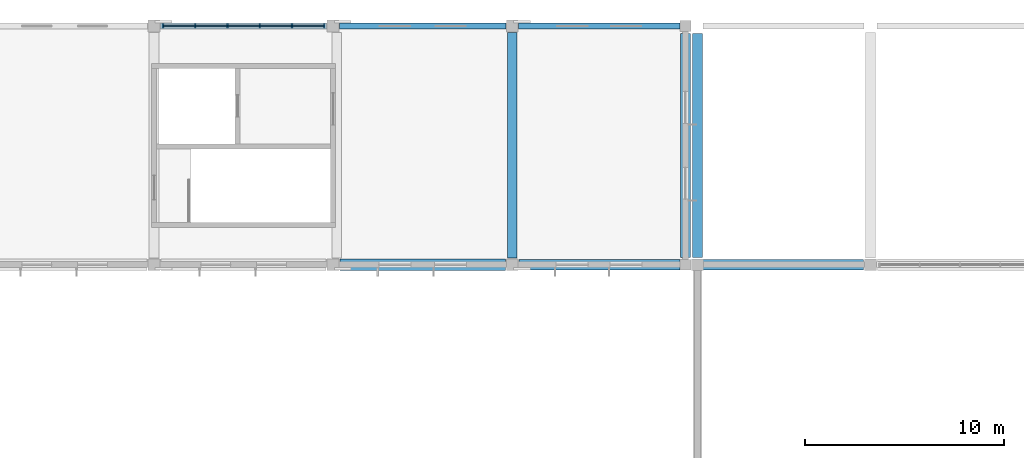
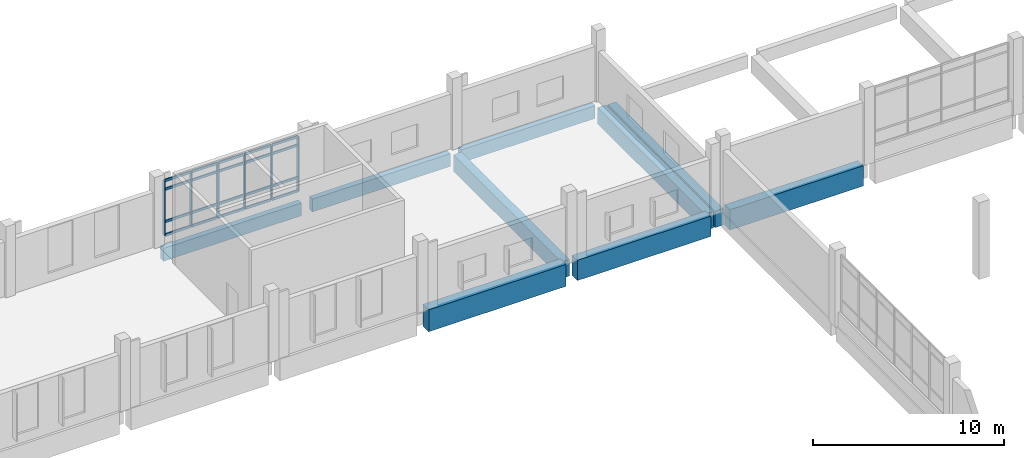
# One storey, part 25 of 63: 26 members, 9 beams, 1 element without a shape of its own.
"""IFC4 building model written with IfcOpenShell, lengths in metres."""

from ifc_helpers import new_model, si_unit, direction, frame, origin, origin_2d, place, context, subcontext, project, spatial, rectangle, extrude, material, layer, layer_set, material_profile, profile_set, type_object, element, aggregate, save


model = new_model("IFC4")

# Units and contexts
model_context = context("Model", 3, precision=1e-05, world=origin(), true_north=direction((0.0, 1.0)))
body_context = subcontext(model_context, "Body", "Model", "MODEL_VIEW")
ifc_project = project(units=[si_unit("LENGTHUNIT", "METRE"), si_unit("AREAUNIT", "SQUARE_METRE"), si_unit("VOLUMEUNIT", "CUBIC_METRE"), si_unit("PLANEANGLEUNIT", "RADIAN"), si_unit("MASSUNIT", "GRAM", prefix="KILO")], contexts=[model_context])

# Site, building, storey
site_placement = place(None, origin())
site = spatial("IfcSite", under=ifc_project, at=site_placement, CompositionType="ELEMENT")
building_placement = place(site_placement, origin())
building = spatial("IfcBuilding", under=site, at=building_placement, Name="Zacnel Wholesale Market", CompositionType="ELEMENT")
storey_placement = place(building_placement, frame((0.0, 0.0, 11.199951171875)))
storey = spatial("IfcBuildingStorey", under=building, at=storey_placement, Name="L03", CompositionType="ELEMENT", Elevation=11.199951171875)

# Beams
ifc_material_1 = material(Name="Precast concrete C45/55", Category="concrete")
ifc_material_profile_1 = material_profile(ifc_material_1, rectangle(XDim=0.5, YDim=1.050048828125, at=origin_2d()), Name="PG 500x1050")
ifc_profile_set_1 = profile_set([ifc_material_profile_1], Name="Precast concrete C45/55")
beam_type_1 = type_object("IfcBeamType", Name="BM-PG1050", PredefinedType="T_BEAM", material=ifc_profile_set_1)
beam_1_placement = place(storey_placement, frame((135.0, 132.35009765625, -0.804931640625), z_axis=(0.0, 1.0, 0.0), x_axis=(-1.0, 0.0, 0.0)))
element("IfcBeam", 1, at=beam_1_placement, inside=storey, type_object=beam_type_1, Name="Precast girder Y-0918", PredefinedType="T_BEAM", context=body_context, shape_type="SweptSolid", body=[
    extrude(rectangle(XDim=0.5, YDim=1.050048828125, at=origin_2d()), origin(), (0.0, 0.0, 1.0), 11.324951171875),
])
for number, where, z_axis, x_axis, name in (
    (2, (143.699951171875, 132.375, -0.804931640625), (0.0, 1.0, 0.0), (-1.0, 0.0, 0.0), "Precast girder Y-0920"),
    (3, (144.300048828125, 132.375, -0.824951171875), (0.0, 1.0, 0.0), (-1.0, 0.0, 0.0), "Precast girder Y-0932"),
):
    element("IfcBeam", number, at=place(storey_placement, frame(where, z_axis=z_axis, x_axis=x_axis)), inside=storey, type_object=beam_type_1, Name=name, PredefinedType="T_BEAM", context=body_context, shape_type="SweptSolid", body=[
        extrude(rectangle(XDim=0.5, YDim=1.050048828125, at=origin_2d()), origin(), (0.0, 0.0, 1.0), 11.25),
    ])
ifc_material_2 = material(Name="Concrete C40/50", Category="concrete")
ifc_material_profile_2 = material_profile(ifc_material_2, rectangle(XDim=0.550048828125, YDim=1.300048828125, at=origin_2d()), Name="PTB 550x1300")
ifc_profile_set_2 = profile_set([ifc_material_profile_2], Name="Concrete C40/50")
beam_type_2 = type_object("IfcBeamType", Name="BM-PTB1300", PredefinedType="BEAM", material=ifc_profile_set_2)
for number, where, z_axis, x_axis, name in (
    (4, (135.35009765625, 132.0, -0.64990234375), (1.0, 0.0, 0.0), (0.0, 1.0, 0.0), "Precast girder X-0774"),
    (5, (144.574951171875, 132.0, -0.64990234375), (1.0, 0.0, 0.0), (0.0, 1.0, 0.0), "Precast girder X-0775"),
):
    element("IfcBeam", number, at=place(storey_placement, frame(where, z_axis=z_axis, x_axis=x_axis)), inside=storey, type_object=beam_type_2, Name=name, PredefinedType="BEAM", context=body_context, shape_type="SweptSolid", body=[
        extrude(rectangle(XDim=0.550048828125, YDim=1.300048828125, at=origin_2d()), origin(), (0.0, 0.0, 1.0), 8.074951171875),
    ])
ifc_material_3 = material(Name="Concrete C40/50", Category="concrete")
ifc_material_profile_3 = material_profile(ifc_material_3, rectangle(XDim=0.60009765625, YDim=1.39990234375, at=origin_2d()), Name="PTB 600x1400")
ifc_profile_set_3 = profile_set([ifc_material_profile_3], Name="Concrete C40/50")
beam_type_3 = type_object("IfcBeamType", Name="BM-PTB1400", PredefinedType="BEAM", material=ifc_profile_set_3)
beam_2_placement = place(storey_placement, frame((126.35009765625, 132.0, -0.699951171875), z_axis=(1.0, 0.0, 0.0), x_axis=(0.0, 1.0, 0.0)))
element("IfcBeam", 6, at=beam_2_placement, inside=storey, type_object=beam_type_3, Name="Precast girder X-0773", PredefinedType="BEAM", context=body_context, shape_type="SweptSolid", body=[
    extrude(rectangle(XDim=0.60009765625, YDim=1.39990234375, at=origin_2d()), origin(), (0.0, 0.0, 1.0), 8.2998046875),
])
ifc_material_4 = material(Name="Precast concrete C45/55", Category="concrete")
ifc_material_profile_4 = material_profile(ifc_material_4, rectangle(XDim=0.320068359375, YDim=0.820068359375, at=origin_2d()), Name="SP 320x820")
ifc_profile_set_4 = profile_set([ifc_material_profile_4], Name="Precast concrete C45/55")
beam_type_4 = type_object("IfcBeamType", Name="BM-SP820", PredefinedType="SPANDREL", material=ifc_profile_set_4)
for number, where, z_axis, x_axis, name in (
    (7, (117.324951171875, 144.0, -0.68994140625), (1.0, 0.0, 0.0), (0.0, 1.0, 0.0), "Precast girder X-0791"),
    (8, (126.324951171875, 144.0, -0.68994140625), (1.0, 0.0, 0.0), (0.0, 1.0, 0.0), "Precast girder X-0792"),
):
    element("IfcBeam", number, at=place(storey_placement, frame(where, z_axis=z_axis, x_axis=x_axis)), inside=storey, type_object=beam_type_4, Name=name, PredefinedType="SPANDREL", context=body_context, shape_type="SweptSolid", body=[
        extrude(rectangle(XDim=0.320068359375, YDim=0.820068359375, at=origin_2d()), origin(), (0.0, 0.0, 1.0), 8.35009765625),
    ])
beam_3_placement = place(storey_placement, frame((135.324951171875, 144.0, -0.68994140625), z_axis=(1.0, 0.0, 0.0), x_axis=(0.0, 1.0, 0.0)))
element("IfcBeam", 9, at=beam_3_placement, inside=storey, type_object=beam_type_4, Name="Precast girder X-0793", PredefinedType="SPANDREL", context=body_context, shape_type="SweptSolid", body=[
    extrude(rectangle(XDim=0.320068359375, YDim=0.820068359375, at=origin_2d()), origin(), (0.0, 0.0, 1.0), 8.10009765625),
])

# Curtain wall, members
ifc_material_5 = material(Name="Anodised aluminium", Category="aluminium")
ifc_layer = layer(ifc_material_5, 0.159912109375)
ifc_layer_set = layer_set([ifc_layer], Name="Anodised aluminium")
curtain_wall_type = type_object("IfcCurtainWallType", Name="CW-COURT-4500", PredefinedType="NOTDEFINED", material=ifc_layer_set)
curtain_wall_placement = place(storey_placement, origin())
curtain_wall = element("IfcCurtainWall", 10, at=curtain_wall_placement, inside=storey, type_object=curtain_wall_type, Name="Curtain wall ENV-R2-CW-L03-049", PredefinedType="NOTDEFINED")
ifc_material_6 = material(Name="Anodised aluminium", Category="aluminium")
ifc_material_profile_5 = material_profile(ifc_material_6, rectangle(XDim=0.070068359375, YDim=0.199951171875, at=origin_2d()), Name="AW-MULLION 70x200")
ifc_profile_set_5 = profile_set([ifc_material_profile_5], Name="Anodised aluminium")
member_type_1 = type_object("IfcMemberType", Name="CWM-MUL-02", PredefinedType="MULLION", material=ifc_profile_set_5)
member_1_placement = place(storey_placement, frame((117.449951171875, 144.0, 0.449951171875), z_axis=(0.0, 0.0, 1.0), x_axis=(1.0, 0.0, 0.0)))
member_1 = element("IfcMember", 11, at=member_1_placement, type_object=member_type_1, Name="ENV-R2-CW-L03-049 mullion 01", PredefinedType="MULLION", context=body_context, shape_type="SweptSolid", body=[
    extrude(rectangle(XDim=0.070068359375, YDim=0.199951171875, at=origin_2d()), origin(), (0.0, 0.0, 1.0), 3.47021484375),
])
member_2_placement = place(storey_placement, frame((119.070068359375, 144.0, 0.449951171875), z_axis=(0.0, 0.0, 1.0), x_axis=(1.0, 0.0, 0.0)))
member_2 = element("IfcMember", 12, at=member_2_placement, type_object=member_type_1, Name="ENV-R2-CW-L03-049 mullion 02", PredefinedType="MULLION", context=body_context, shape_type="SweptSolid", body=[
    extrude(rectangle(XDim=0.070068359375, YDim=0.199951171875, at=origin_2d()), origin(), (0.0, 0.0, 1.0), 3.47021484375),
])
member_3_placement = place(storey_placement, frame((120.68994140625, 144.0, 0.449951171875), z_axis=(0.0, 0.0, 1.0), x_axis=(1.0, 0.0, 0.0)))
member_3 = element("IfcMember", 13, at=member_3_placement, type_object=member_type_1, Name="ENV-R2-CW-L03-049 mullion 03", PredefinedType="MULLION", context=body_context, shape_type="SweptSolid", body=[
    extrude(rectangle(XDim=0.070068359375, YDim=0.199951171875, at=origin_2d()), origin(), (0.0, 0.0, 1.0), 3.47021484375),
])
member_4_placement = place(storey_placement, frame((122.31005859375, 144.0, 0.449951171875), z_axis=(0.0, 0.0, 1.0), x_axis=(1.0, 0.0, 0.0)))
member_4 = element("IfcMember", 14, at=member_4_placement, type_object=member_type_1, Name="ENV-R2-CW-L03-049 mullion 04", PredefinedType="MULLION", context=body_context, shape_type="SweptSolid", body=[
    extrude(rectangle(XDim=0.070068359375, YDim=0.199951171875, at=origin_2d()), origin(), (0.0, 0.0, 1.0), 3.47021484375),
])
member_5_placement = place(storey_placement, frame((123.929931640625, 144.0, 0.449951171875), z_axis=(0.0, 0.0, 1.0), x_axis=(1.0, 0.0, 0.0)))
member_5 = element("IfcMember", 15, at=member_5_placement, type_object=member_type_1, Name="ENV-R2-CW-L03-049 mullion 05", PredefinedType="MULLION", context=body_context, shape_type="SweptSolid", body=[
    extrude(rectangle(XDim=0.070068359375, YDim=0.199951171875, at=origin_2d()), origin(), (0.0, 0.0, 1.0), 3.47021484375),
])
member_6_placement = place(storey_placement, frame((125.550048828125, 144.0, 0.449951171875), z_axis=(0.0, 0.0, 1.0), x_axis=(1.0, 0.0, 0.0)))
member_6 = element("IfcMember", 16, at=member_6_placement, type_object=member_type_1, Name="ENV-R2-CW-L03-049 mullion 06", PredefinedType="MULLION", context=body_context, shape_type="SweptSolid", body=[
    extrude(rectangle(XDim=0.070068359375, YDim=0.199951171875, at=origin_2d()), origin(), (0.0, 0.0, 1.0), 3.47021484375),
])
ifc_material_7 = material(Name="Anodised aluminium", Category="aluminium")
ifc_material_profile_6 = material_profile(ifc_material_7, rectangle(XDim=0.070068359375, YDim=0.159912109375, at=origin_2d()), Name="AW-TRANSOM 70x160")
ifc_profile_set_6 = profile_set([ifc_material_profile_6], Name="Anodised aluminium")
member_type_2 = type_object("IfcMemberType", Name="CWM-TRN-02", PredefinedType="USERDEFINED", material=ifc_profile_set_6)
member_7_placement = place(storey_placement, frame((117.485107421875, 144.0, 0.449951171875), z_axis=(1.0, 0.0, 0.0), x_axis=(0.0, 1.0, 0.0)))
member_7 = element("IfcMember", 17, at=member_7_placement, type_object=member_type_2, Name="ENV-R2-CW-L03-049 transom 1-1", ObjectType="TRANSOM", PredefinedType="USERDEFINED", context=body_context, shape_type="SweptSolid", body=[
    extrude(rectangle(XDim=0.070068359375, YDim=0.159912109375, at=origin_2d()), origin(), (0.0, 0.0, 1.0), 1.5498046875),
])
member_8_placement = place(storey_placement, frame((117.485107421875, 144.0, 1.300048828125), z_axis=(1.0, 0.0, 0.0), x_axis=(0.0, 1.0, 0.0)))
member_8 = element("IfcMember", 18, at=member_8_placement, type_object=member_type_2, Name="ENV-R2-CW-L03-049 transom 1-2", ObjectType="TRANSOM", PredefinedType="USERDEFINED", context=body_context, shape_type="SweptSolid", body=[
    extrude(rectangle(XDim=0.070068359375, YDim=0.159912109375, at=origin_2d()), origin(), (0.0, 0.0, 1.0), 1.5498046875),
])
member_9_placement = place(storey_placement, frame((117.485107421875, 144.0, 3.3701171875), z_axis=(1.0, 0.0, 0.0), x_axis=(0.0, 1.0, 0.0)))
member_9 = element("IfcMember", 19, at=member_9_placement, type_object=member_type_2, Name="ENV-R2-CW-L03-049 transom 1-3", ObjectType="TRANSOM", PredefinedType="USERDEFINED", context=body_context, shape_type="SweptSolid", body=[
    extrude(rectangle(XDim=0.070068359375, YDim=0.159912109375, at=origin_2d()), origin(), (0.0, 0.0, 1.0), 1.5498046875),
])
member_10_placement = place(storey_placement, frame((117.485107421875, 144.0, 3.920166015625), z_axis=(1.0, 0.0, 0.0), x_axis=(0.0, 1.0, 0.0)))
member_10 = element("IfcMember", 20, at=member_10_placement, type_object=member_type_2, Name="ENV-R2-CW-L03-049 transom 1-4", ObjectType="TRANSOM", PredefinedType="USERDEFINED", context=body_context, shape_type="SweptSolid", body=[
    extrude(rectangle(XDim=0.070068359375, YDim=0.159912109375, at=origin_2d()), origin(), (0.0, 0.0, 1.0), 1.5498046875),
])
member_11_placement = place(storey_placement, frame((119.10498046875, 144.0, 0.449951171875), z_axis=(1.0, 0.0, 0.0), x_axis=(0.0, 1.0, 0.0)))
member_11 = element("IfcMember", 21, at=member_11_placement, type_object=member_type_2, Name="ENV-R2-CW-L03-049 transom 2-1", ObjectType="TRANSOM", PredefinedType="USERDEFINED", context=body_context, shape_type="SweptSolid", body=[
    extrude(rectangle(XDim=0.070068359375, YDim=0.159912109375, at=origin_2d()), origin(), (0.0, 0.0, 1.0), 1.550048828125),
])
member_12_placement = place(storey_placement, frame((119.10498046875, 144.0, 1.300048828125), z_axis=(1.0, 0.0, 0.0), x_axis=(0.0, 1.0, 0.0)))
member_12 = element("IfcMember", 22, at=member_12_placement, type_object=member_type_2, Name="ENV-R2-CW-L03-049 transom 2-2", ObjectType="TRANSOM", PredefinedType="USERDEFINED", context=body_context, shape_type="SweptSolid", body=[
    extrude(rectangle(XDim=0.070068359375, YDim=0.159912109375, at=origin_2d()), origin(), (0.0, 0.0, 1.0), 1.550048828125),
])
member_13_placement = place(storey_placement, frame((119.10498046875, 144.0, 3.3701171875), z_axis=(1.0, 0.0, 0.0), x_axis=(0.0, 1.0, 0.0)))
member_13 = element("IfcMember", 23, at=member_13_placement, type_object=member_type_2, Name="ENV-R2-CW-L03-049 transom 2-3", ObjectType="TRANSOM", PredefinedType="USERDEFINED", context=body_context, shape_type="SweptSolid", body=[
    extrude(rectangle(XDim=0.070068359375, YDim=0.159912109375, at=origin_2d()), origin(), (0.0, 0.0, 1.0), 1.550048828125),
])
member_14_placement = place(storey_placement, frame((119.10498046875, 144.0, 3.920166015625), z_axis=(1.0, 0.0, 0.0), x_axis=(0.0, 1.0, 0.0)))
member_14 = element("IfcMember", 24, at=member_14_placement, type_object=member_type_2, Name="ENV-R2-CW-L03-049 transom 2-4", ObjectType="TRANSOM", PredefinedType="USERDEFINED", context=body_context, shape_type="SweptSolid", body=[
    extrude(rectangle(XDim=0.070068359375, YDim=0.159912109375, at=origin_2d()), origin(), (0.0, 0.0, 1.0), 1.550048828125),
])
member_15_placement = place(storey_placement, frame((120.72509765625, 144.0, 0.449951171875), z_axis=(1.0, 0.0, 0.0), x_axis=(0.0, 1.0, 0.0)))
member_15 = element("IfcMember", 25, at=member_15_placement, type_object=member_type_2, Name="ENV-R2-CW-L03-049 transom 3-1", ObjectType="TRANSOM", PredefinedType="USERDEFINED", context=body_context, shape_type="SweptSolid", body=[
    extrude(rectangle(XDim=0.070068359375, YDim=0.159912109375, at=origin_2d()), origin(), (0.0, 0.0, 1.0), 1.5498046875),
])
member_16_placement = place(storey_placement, frame((120.72509765625, 144.0, 1.300048828125), z_axis=(1.0, 0.0, 0.0), x_axis=(0.0, 1.0, 0.0)))
member_16 = element("IfcMember", 26, at=member_16_placement, type_object=member_type_2, Name="ENV-R2-CW-L03-049 transom 3-2", ObjectType="TRANSOM", PredefinedType="USERDEFINED", context=body_context, shape_type="SweptSolid", body=[
    extrude(rectangle(XDim=0.070068359375, YDim=0.159912109375, at=origin_2d()), origin(), (0.0, 0.0, 1.0), 1.5498046875),
])
member_17_placement = place(storey_placement, frame((120.72509765625, 144.0, 3.3701171875), z_axis=(1.0, 0.0, 0.0), x_axis=(0.0, 1.0, 0.0)))
member_17 = element("IfcMember", 27, at=member_17_placement, type_object=member_type_2, Name="ENV-R2-CW-L03-049 transom 3-3", ObjectType="TRANSOM", PredefinedType="USERDEFINED", context=body_context, shape_type="SweptSolid", body=[
    extrude(rectangle(XDim=0.070068359375, YDim=0.159912109375, at=origin_2d()), origin(), (0.0, 0.0, 1.0), 1.5498046875),
])
member_18_placement = place(storey_placement, frame((120.72509765625, 144.0, 3.920166015625), z_axis=(1.0, 0.0, 0.0), x_axis=(0.0, 1.0, 0.0)))
member_18 = element("IfcMember", 28, at=member_18_placement, type_object=member_type_2, Name="ENV-R2-CW-L03-049 transom 3-4", ObjectType="TRANSOM", PredefinedType="USERDEFINED", context=body_context, shape_type="SweptSolid", body=[
    extrude(rectangle(XDim=0.070068359375, YDim=0.159912109375, at=origin_2d()), origin(), (0.0, 0.0, 1.0), 1.5498046875),
])
member_19_placement = place(storey_placement, frame((122.344970703125, 144.0, 0.449951171875), z_axis=(1.0, 0.0, 0.0), x_axis=(0.0, 1.0, 0.0)))
member_19 = element("IfcMember", 29, at=member_19_placement, type_object=member_type_2, Name="ENV-R2-CW-L03-049 transom 4-1", ObjectType="TRANSOM", PredefinedType="USERDEFINED", context=body_context, shape_type="SweptSolid", body=[
    extrude(rectangle(XDim=0.070068359375, YDim=0.159912109375, at=origin_2d()), origin(), (0.0, 0.0, 1.0), 1.550048828125),
])
member_20_placement = place(storey_placement, frame((122.344970703125, 144.0, 1.300048828125), z_axis=(1.0, 0.0, 0.0), x_axis=(0.0, 1.0, 0.0)))
member_20 = element("IfcMember", 30, at=member_20_placement, type_object=member_type_2, Name="ENV-R2-CW-L03-049 transom 4-2", ObjectType="TRANSOM", PredefinedType="USERDEFINED", context=body_context, shape_type="SweptSolid", body=[
    extrude(rectangle(XDim=0.070068359375, YDim=0.159912109375, at=origin_2d()), origin(), (0.0, 0.0, 1.0), 1.550048828125),
])
member_21_placement = place(storey_placement, frame((122.344970703125, 144.0, 3.3701171875), z_axis=(1.0, 0.0, 0.0), x_axis=(0.0, 1.0, 0.0)))
member_21 = element("IfcMember", 31, at=member_21_placement, type_object=member_type_2, Name="ENV-R2-CW-L03-049 transom 4-3", ObjectType="TRANSOM", PredefinedType="USERDEFINED", context=body_context, shape_type="SweptSolid", body=[
    extrude(rectangle(XDim=0.070068359375, YDim=0.159912109375, at=origin_2d()), origin(), (0.0, 0.0, 1.0), 1.550048828125),
])
member_22_placement = place(storey_placement, frame((122.344970703125, 144.0, 3.920166015625), z_axis=(1.0, 0.0, 0.0), x_axis=(0.0, 1.0, 0.0)))
member_22 = element("IfcMember", 32, at=member_22_placement, type_object=member_type_2, Name="ENV-R2-CW-L03-049 transom 4-4", ObjectType="TRANSOM", PredefinedType="USERDEFINED", context=body_context, shape_type="SweptSolid", body=[
    extrude(rectangle(XDim=0.070068359375, YDim=0.159912109375, at=origin_2d()), origin(), (0.0, 0.0, 1.0), 1.550048828125),
])
member_23_placement = place(storey_placement, frame((123.965087890625, 144.0, 0.449951171875), z_axis=(1.0, 0.0, 0.0), x_axis=(0.0, 1.0, 0.0)))
member_23 = element("IfcMember", 33, at=member_23_placement, type_object=member_type_2, Name="ENV-R2-CW-L03-049 transom 5-1", ObjectType="TRANSOM", PredefinedType="USERDEFINED", context=body_context, shape_type="SweptSolid", body=[
    extrude(rectangle(XDim=0.070068359375, YDim=0.159912109375, at=origin_2d()), origin(), (0.0, 0.0, 1.0), 1.5498046875),
])
member_24_placement = place(storey_placement, frame((123.965087890625, 144.0, 1.300048828125), z_axis=(1.0, 0.0, 0.0), x_axis=(0.0, 1.0, 0.0)))
member_24 = element("IfcMember", 34, at=member_24_placement, type_object=member_type_2, Name="ENV-R2-CW-L03-049 transom 5-2", ObjectType="TRANSOM", PredefinedType="USERDEFINED", context=body_context, shape_type="SweptSolid", body=[
    extrude(rectangle(XDim=0.070068359375, YDim=0.159912109375, at=origin_2d()), origin(), (0.0, 0.0, 1.0), 1.5498046875),
])
member_25_placement = place(storey_placement, frame((123.965087890625, 144.0, 3.3701171875), z_axis=(1.0, 0.0, 0.0), x_axis=(0.0, 1.0, 0.0)))
member_25 = element("IfcMember", 35, at=member_25_placement, type_object=member_type_2, Name="ENV-R2-CW-L03-049 transom 5-3", ObjectType="TRANSOM", PredefinedType="USERDEFINED", context=body_context, shape_type="SweptSolid", body=[
    extrude(rectangle(XDim=0.070068359375, YDim=0.159912109375, at=origin_2d()), origin(), (0.0, 0.0, 1.0), 1.5498046875),
])
member_26_placement = place(storey_placement, frame((123.965087890625, 144.0, 3.920166015625), z_axis=(1.0, 0.0, 0.0), x_axis=(0.0, 1.0, 0.0)))
member_26 = element("IfcMember", 36, at=member_26_placement, type_object=member_type_2, Name="ENV-R2-CW-L03-049 transom 5-4", ObjectType="TRANSOM", PredefinedType="USERDEFINED", context=body_context, shape_type="SweptSolid", body=[
    extrude(rectangle(XDim=0.070068359375, YDim=0.159912109375, at=origin_2d()), origin(), (0.0, 0.0, 1.0), 1.5498046875),
])
aggregate(curtain_wall, [member_1, member_2, member_3, member_4, member_5, member_6, member_7, member_8, member_9, member_10, member_11, member_12, member_13, member_14, member_15, member_16, member_17, member_18, member_19, member_20, member_21, member_22, member_23, member_24, member_25, member_26])

save(model, "model.ifc")
